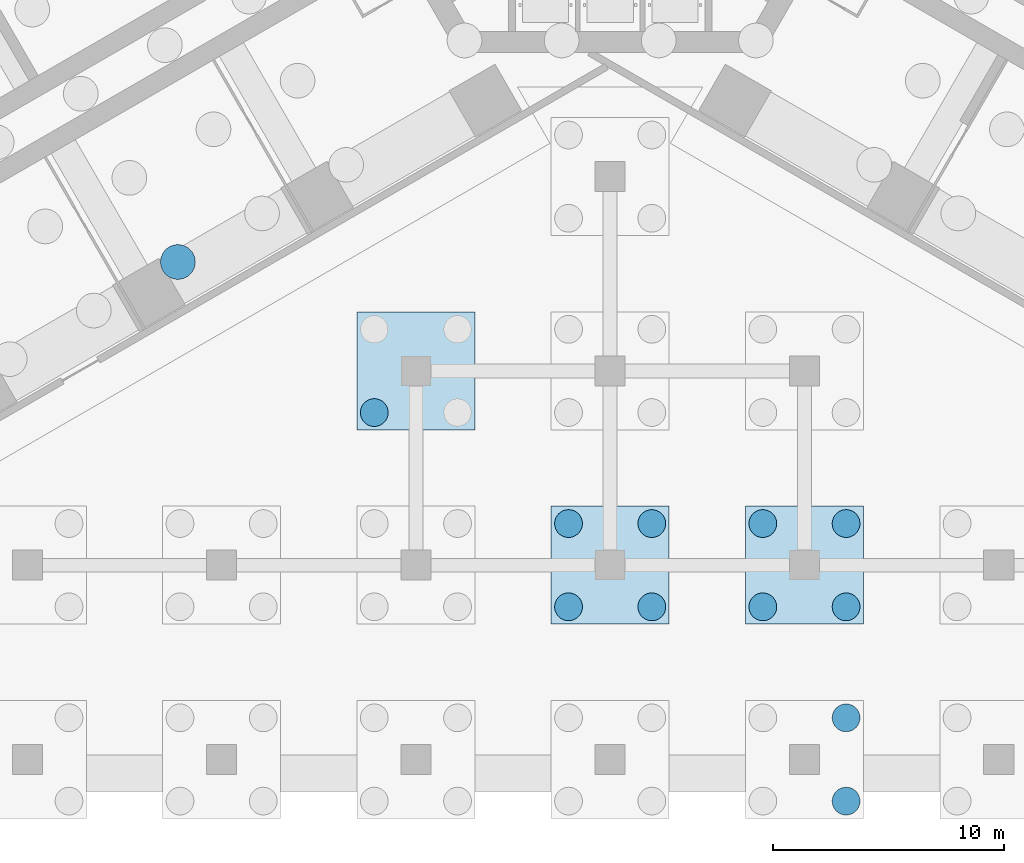
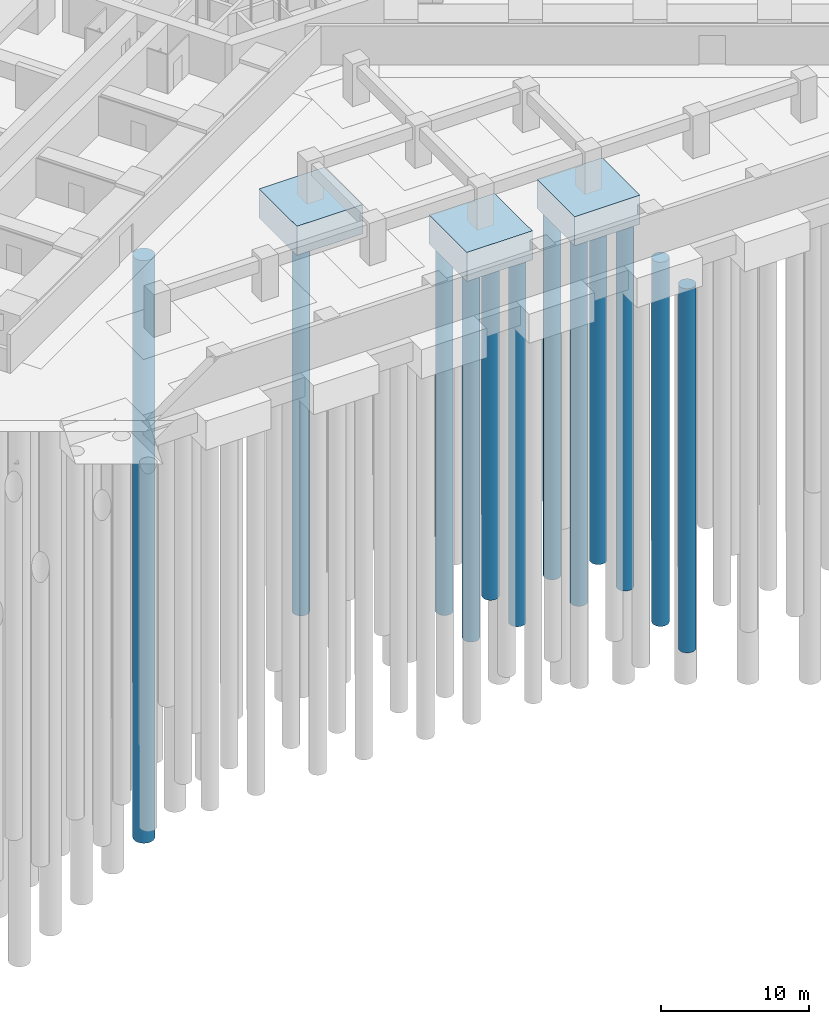
# One storey, part 8 of 73: 12 piles, 3 footings.
"""IFC4 building model written with IfcOpenShell, lengths in metres."""

from ifc_helpers import new_model, si_unit, direction, frame, origin, origin_2d, place, context, subcontext, project, spatial, polyline, circle, outline, extrude, material, material_profile, profile_set, type_object, element, save


model = new_model("IFC4")

# Units and contexts
model_context = context("Model", 3, precision=1e-05, world=origin(), true_north=direction((0.0, 1.0)))
body_context = subcontext(model_context, "Body", "Model", "MODEL_VIEW")
ifc_project = project(units=[si_unit("LENGTHUNIT", "METRE"), si_unit("AREAUNIT", "SQUARE_METRE"), si_unit("VOLUMEUNIT", "CUBIC_METRE"), si_unit("PLANEANGLEUNIT", "RADIAN"), si_unit("MASSUNIT", "GRAM", prefix="KILO")], contexts=[model_context])

# Site, building, storey
site_placement = place(None, origin())
site = spatial("IfcSite", under=ifc_project, at=site_placement, CompositionType="ELEMENT")
building_placement = place(site_placement, origin())
building = spatial("IfcBuilding", under=site, at=building_placement, Name="Impinga Residences", CompositionType="ELEMENT")
storey_placement = place(building_placement, frame((0.0, 0.0, -10.5)))
storey = spatial("IfcBuildingStorey", under=building, at=storey_placement, Name="B3", CompositionType="ELEMENT", Elevation=-10.5)

# Piles
ifc_material_1 = material(Name="Concrete C35/45", Category="concrete")
ifc_material_profile_1 = material_profile(ifc_material_1, circle(Radius=0.75, at=origin_2d()), Name="D1500")
ifc_profile_set_1 = profile_set([ifc_material_profile_1], Name="Concrete C35/45")
pile_type_1 = type_object("IfcPileType", Name="BP1 bored pile D1500", PredefinedType="BORED", material=ifc_profile_set_1)
pile_1_placement = place(storey_placement, frame((-18.6904296875, -20.490478515625, -4.0), z_axis=(0.0, 0.0, -1.0), x_axis=(1.0, 0.0, 0.0)))
element("IfcPile", 1, at=pile_1_placement, inside=storey, type_object=pile_type_1, Name="Raft pile BP1-021", PredefinedType="BORED", context=body_context, shape_type="SweptSolid", body=[
    extrude(outline(polyline([(0.75, 0.0), (0.746337890625, 0.073486328125), (0.735595703125, 0.146240234375), (0.7177734375, 0.2177734375), (0.69287109375, 0.287109375), (0.661376953125, 0.353515625), (0.62353515625, 0.416748046875), (0.579833984375, 0.475830078125), (0.5302734375, 0.5302734375), (0.475830078125, 0.579833984375), (0.416748046875, 0.62353515625), (0.353515625, 0.661376953125), (0.287109375, 0.69287109375), (0.2177734375, 0.7177734375), (0.146240234375, 0.735595703125), (0.073486328125, 0.746337890625), (0.0, 0.75), (-0.073486328125, 0.746337890625), (-0.146240234375, 0.735595703125), (-0.2177734375, 0.7177734375), (-0.287109375, 0.69287109375), (-0.353515625, 0.661376953125), (-0.416748046875, 0.62353515625), (-0.475830078125, 0.579833984375), (-0.5302734375, 0.5302734375), (-0.579833984375, 0.475830078125), (-0.62353515625, 0.416748046875), (-0.661376953125, 0.353515625), (-0.69287109375, 0.287109375), (-0.7177734375, 0.2177734375), (-0.735595703125, 0.146240234375), (-0.746337890625, 0.073486328125), (-0.75, 0.0), (-0.746337890625, -0.073486328125), (-0.735595703125, -0.146240234375), (-0.7177734375, -0.2177734375), (-0.69287109375, -0.287109375), (-0.661376953125, -0.353515625), (-0.62353515625, -0.416748046875), (-0.579833984375, -0.475830078125), (-0.5302734375, -0.5302734375), (-0.475830078125, -0.579833984375), (-0.416748046875, -0.62353515625), (-0.353515625, -0.661376953125), (-0.287109375, -0.69287109375), (-0.2177734375, -0.7177734375), (-0.146240234375, -0.735595703125), (-0.073486328125, -0.746337890625), (0.0, -0.75), (0.073486328125, -0.746337890625), (0.146240234375, -0.735595703125), (0.2177734375, -0.7177734375), (0.287109375, -0.69287109375), (0.353515625, -0.661376953125), (0.416748046875, -0.62353515625), (0.475830078125, -0.579833984375), (0.5302734375, -0.5302734375), (0.579833984375, -0.475830078125), (0.62353515625, -0.416748046875), (0.661376953125, -0.353515625), (0.69287109375, -0.287109375), (0.7177734375, -0.2177734375), (0.735595703125, -0.146240234375), (0.746337890625, -0.073486328125), (0.75, 0.0)])), origin(), (0.0, 0.0, 1.0), 48.0),
])
ifc_material_profile_2 = material_profile(ifc_material_1, circle(Radius=0.60009765625, at=origin_2d()), Name="D1200")
ifc_profile_set_2 = profile_set([ifc_material_profile_2], Name="Concrete C35/45")
pile_type_2 = type_object("IfcPileType", Name="BP2 bored pile D1200", PredefinedType="BORED", material=ifc_profile_set_2)
pile_2_placement = place(storey_placement, frame((-10.199951171875, -27.0, -2.39990234375), z_axis=(0.0, 0.0, -1.0), x_axis=(1.0, 0.0, 0.0)))
element("IfcPile", 2, at=pile_2_placement, inside=storey, type_object=pile_type_2, Name="Cap pile BP2 6/C-1", PredefinedType="BORED", context=body_context, shape_type="SweptSolid", body=[
    extrude(outline(polyline([(0.60009765625, 0.0), (0.59716796875, 0.058837890625), (0.58837890625, 0.116943359375), (0.57421875, 0.174072265625), (0.554443359375, 0.2294921875), (0.529052734375, 0.282958984375), (0.498779296875, 0.333251953125), (0.4638671875, 0.380615234375), (0.42431640625, 0.42431640625), (0.380615234375, 0.4638671875), (0.333251953125, 0.498779296875), (0.282958984375, 0.529052734375), (0.2294921875, 0.554443359375), (0.174072265625, 0.57421875), (0.116943359375, 0.58837890625), (0.058837890625, 0.59716796875), (0.0, 0.60009765625), (-0.058837890625, 0.59716796875), (-0.116943359375, 0.58837890625), (-0.174072265625, 0.57421875), (-0.2294921875, 0.554443359375), (-0.282958984375, 0.529052734375), (-0.333251953125, 0.498779296875), (-0.380615234375, 0.4638671875), (-0.42431640625, 0.42431640625), (-0.4638671875, 0.380615234375), (-0.498779296875, 0.333251953125), (-0.529052734375, 0.282958984375), (-0.554443359375, 0.2294921875), (-0.57421875, 0.174072265625), (-0.58837890625, 0.116943359375), (-0.59716796875, 0.058837890625), (-0.60009765625, 0.0), (-0.59716796875, -0.058837890625), (-0.58837890625, -0.116943359375), (-0.57421875, -0.174072265625), (-0.554443359375, -0.2294921875), (-0.529052734375, -0.282958984375), (-0.498779296875, -0.333251953125), (-0.4638671875, -0.380615234375), (-0.42431640625, -0.42431640625), (-0.380615234375, -0.4638671875), (-0.333251953125, -0.498779296875), (-0.282958984375, -0.529052734375), (-0.2294921875, -0.554443359375), (-0.174072265625, -0.57421875), (-0.116943359375, -0.58837890625), (-0.058837890625, -0.59716796875), (0.0, -0.60009765625), (0.058837890625, -0.59716796875), (0.116943359375, -0.58837890625), (0.174072265625, -0.57421875), (0.2294921875, -0.554443359375), (0.282958984375, -0.529052734375), (0.333251953125, -0.498779296875), (0.380615234375, -0.4638671875), (0.42431640625, -0.42431640625), (0.4638671875, -0.380615234375), (0.498779296875, -0.333251953125), (0.529052734375, -0.282958984375), (0.554443359375, -0.2294921875), (0.57421875, -0.174072265625), (0.58837890625, -0.116943359375), (0.59716796875, -0.058837890625), (0.60009765625, 0.0)])), origin(), (0.0, 0.0, 1.0), 30.0),
])
pile_3_placement = place(storey_placement, frame((-1.800048828125, -35.39990234375, -2.39990234375), z_axis=(0.0, 0.0, -1.0), x_axis=(1.0, 0.0, 0.0)))
element("IfcPile", 3, at=pile_3_placement, inside=storey, type_object=pile_type_2, Name="Cap pile BP2 7/B-1", PredefinedType="BORED", context=body_context, shape_type="SweptSolid", body=[
    extrude(outline(polyline([(0.60009765625, 0.0), (0.59716796875, 0.058837890625), (0.58837890625, 0.116943359375), (0.57421875, 0.174072265625), (0.554443359375, 0.2294921875), (0.529052734375, 0.282958984375), (0.498779296875, 0.333251953125), (0.4638671875, 0.380615234375), (0.42431640625, 0.42431640625), (0.380615234375, 0.4638671875), (0.333251953125, 0.498779296875), (0.282958984375, 0.529052734375), (0.2294921875, 0.554443359375), (0.174072265625, 0.57421875), (0.116943359375, 0.58837890625), (0.058837890625, 0.59716796875), (0.0, 0.60009765625), (-0.058837890625, 0.59716796875), (-0.116943359375, 0.58837890625), (-0.174072265625, 0.57421875), (-0.2294921875, 0.554443359375), (-0.282958984375, 0.529052734375), (-0.333251953125, 0.498779296875), (-0.380615234375, 0.4638671875), (-0.42431640625, 0.42431640625), (-0.4638671875, 0.380615234375), (-0.498779296875, 0.333251953125), (-0.529052734375, 0.282958984375), (-0.554443359375, 0.2294921875), (-0.57421875, 0.174072265625), (-0.58837890625, 0.116943359375), (-0.59716796875, 0.058837890625), (-0.60009765625, 0.0), (-0.59716796875, -0.058837890625), (-0.58837890625, -0.116943359375), (-0.57421875, -0.174072265625), (-0.554443359375, -0.2294921875), (-0.529052734375, -0.282958984375), (-0.498779296875, -0.333251953125), (-0.4638671875, -0.380615234375), (-0.42431640625, -0.42431640625), (-0.380615234375, -0.4638671875), (-0.333251953125, -0.498779296875), (-0.282958984375, -0.529052734375), (-0.2294921875, -0.554443359375), (-0.174072265625, -0.57421875), (-0.116943359375, -0.58837890625), (-0.058837890625, -0.59716796875), (0.0, -0.60009765625), (0.058837890625, -0.59716796875), (0.116943359375, -0.58837890625), (0.174072265625, -0.57421875), (0.2294921875, -0.554443359375), (0.282958984375, -0.529052734375), (0.333251953125, -0.498779296875), (0.380615234375, -0.4638671875), (0.42431640625, -0.42431640625), (0.4638671875, -0.380615234375), (0.498779296875, -0.333251953125), (0.529052734375, -0.282958984375), (0.554443359375, -0.2294921875), (0.57421875, -0.174072265625), (0.58837890625, -0.116943359375), (0.59716796875, -0.058837890625), (0.60009765625, 0.0)])), origin(), (0.0, 0.0, 1.0), 30.0),
])
pile_4_placement = place(storey_placement, frame((1.800048828125, -35.39990234375, -2.39990234375), z_axis=(0.0, 0.0, -1.0), x_axis=(1.0, 0.0, 0.0)))
element("IfcPile", 4, at=pile_4_placement, inside=storey, type_object=pile_type_2, Name="Cap pile BP2 7/B-2", PredefinedType="BORED", context=body_context, shape_type="SweptSolid", body=[
    extrude(outline(polyline([(0.60009765625, 0.0), (0.59716796875, 0.058837890625), (0.58837890625, 0.116943359375), (0.57421875, 0.174072265625), (0.554443359375, 0.2294921875), (0.529052734375, 0.282958984375), (0.498779296875, 0.333251953125), (0.4638671875, 0.380615234375), (0.42431640625, 0.42431640625), (0.380615234375, 0.4638671875), (0.333251953125, 0.498779296875), (0.282958984375, 0.529052734375), (0.2294921875, 0.554443359375), (0.174072265625, 0.57421875), (0.116943359375, 0.58837890625), (0.058837890625, 0.59716796875), (0.0, 0.60009765625), (-0.058837890625, 0.59716796875), (-0.116943359375, 0.58837890625), (-0.174072265625, 0.57421875), (-0.2294921875, 0.554443359375), (-0.282958984375, 0.529052734375), (-0.333251953125, 0.498779296875), (-0.380615234375, 0.4638671875), (-0.42431640625, 0.42431640625), (-0.4638671875, 0.380615234375), (-0.498779296875, 0.333251953125), (-0.529052734375, 0.282958984375), (-0.554443359375, 0.2294921875), (-0.57421875, 0.174072265625), (-0.58837890625, 0.116943359375), (-0.59716796875, 0.058837890625), (-0.60009765625, 0.0), (-0.59716796875, -0.058837890625), (-0.58837890625, -0.116943359375), (-0.57421875, -0.174072265625), (-0.554443359375, -0.2294921875), (-0.529052734375, -0.282958984375), (-0.498779296875, -0.333251953125), (-0.4638671875, -0.380615234375), (-0.42431640625, -0.42431640625), (-0.380615234375, -0.4638671875), (-0.333251953125, -0.498779296875), (-0.282958984375, -0.529052734375), (-0.2294921875, -0.554443359375), (-0.174072265625, -0.57421875), (-0.116943359375, -0.58837890625), (-0.058837890625, -0.59716796875), (0.0, -0.60009765625), (0.058837890625, -0.59716796875), (0.116943359375, -0.58837890625), (0.174072265625, -0.57421875), (0.2294921875, -0.554443359375), (0.282958984375, -0.529052734375), (0.333251953125, -0.498779296875), (0.380615234375, -0.4638671875), (0.42431640625, -0.42431640625), (0.4638671875, -0.380615234375), (0.498779296875, -0.333251953125), (0.529052734375, -0.282958984375), (0.554443359375, -0.2294921875), (0.57421875, -0.174072265625), (0.58837890625, -0.116943359375), (0.59716796875, -0.058837890625), (0.60009765625, 0.0)])), origin(), (0.0, 0.0, 1.0), 30.0),
])
pile_5_placement = place(storey_placement, frame((1.800048828125, -31.800048828125, -2.39990234375), z_axis=(0.0, 0.0, -1.0), x_axis=(1.0, 0.0, 0.0)))
element("IfcPile", 5, at=pile_5_placement, inside=storey, type_object=pile_type_2, Name="Cap pile BP2 7/B-3", PredefinedType="BORED", context=body_context, shape_type="SweptSolid", body=[
    extrude(outline(polyline([(0.60009765625, 0.0), (0.59716796875, 0.058837890625), (0.58837890625, 0.116943359375), (0.57421875, 0.174072265625), (0.554443359375, 0.2294921875), (0.529052734375, 0.282958984375), (0.498779296875, 0.333251953125), (0.4638671875, 0.380615234375), (0.42431640625, 0.42431640625), (0.380615234375, 0.4638671875), (0.333251953125, 0.498779296875), (0.282958984375, 0.529052734375), (0.2294921875, 0.554443359375), (0.174072265625, 0.57421875), (0.116943359375, 0.58837890625), (0.058837890625, 0.59716796875), (0.0, 0.60009765625), (-0.058837890625, 0.59716796875), (-0.116943359375, 0.58837890625), (-0.174072265625, 0.57421875), (-0.2294921875, 0.554443359375), (-0.282958984375, 0.529052734375), (-0.333251953125, 0.498779296875), (-0.380615234375, 0.4638671875), (-0.42431640625, 0.42431640625), (-0.4638671875, 0.380615234375), (-0.498779296875, 0.333251953125), (-0.529052734375, 0.282958984375), (-0.554443359375, 0.2294921875), (-0.57421875, 0.174072265625), (-0.58837890625, 0.116943359375), (-0.59716796875, 0.058837890625), (-0.60009765625, 0.0), (-0.59716796875, -0.058837890625), (-0.58837890625, -0.116943359375), (-0.57421875, -0.174072265625), (-0.554443359375, -0.2294921875), (-0.529052734375, -0.282958984375), (-0.498779296875, -0.333251953125), (-0.4638671875, -0.380615234375), (-0.42431640625, -0.42431640625), (-0.380615234375, -0.4638671875), (-0.333251953125, -0.498779296875), (-0.282958984375, -0.529052734375), (-0.2294921875, -0.554443359375), (-0.174072265625, -0.57421875), (-0.116943359375, -0.58837890625), (-0.058837890625, -0.59716796875), (0.0, -0.60009765625), (0.058837890625, -0.59716796875), (0.116943359375, -0.58837890625), (0.174072265625, -0.57421875), (0.2294921875, -0.554443359375), (0.282958984375, -0.529052734375), (0.333251953125, -0.498779296875), (0.380615234375, -0.4638671875), (0.42431640625, -0.42431640625), (0.4638671875, -0.380615234375), (0.498779296875, -0.333251953125), (0.529052734375, -0.282958984375), (0.554443359375, -0.2294921875), (0.57421875, -0.174072265625), (0.58837890625, -0.116943359375), (0.59716796875, -0.058837890625), (0.60009765625, 0.0)])), origin(), (0.0, 0.0, 1.0), 30.0),
])
pile_6_placement = place(storey_placement, frame((-1.800048828125, -31.800048828125, -2.39990234375), z_axis=(0.0, 0.0, -1.0), x_axis=(1.0, 0.0, 0.0)))
element("IfcPile", 6, at=pile_6_placement, inside=storey, type_object=pile_type_2, Name="Cap pile BP2 7/B-4", PredefinedType="BORED", context=body_context, shape_type="SweptSolid", body=[
    extrude(outline(polyline([(0.60009765625, 0.0), (0.59716796875, 0.058837890625), (0.58837890625, 0.116943359375), (0.57421875, 0.174072265625), (0.554443359375, 0.2294921875), (0.529052734375, 0.282958984375), (0.498779296875, 0.333251953125), (0.4638671875, 0.380615234375), (0.42431640625, 0.42431640625), (0.380615234375, 0.4638671875), (0.333251953125, 0.498779296875), (0.282958984375, 0.529052734375), (0.2294921875, 0.554443359375), (0.174072265625, 0.57421875), (0.116943359375, 0.58837890625), (0.058837890625, 0.59716796875), (0.0, 0.60009765625), (-0.058837890625, 0.59716796875), (-0.116943359375, 0.58837890625), (-0.174072265625, 0.57421875), (-0.2294921875, 0.554443359375), (-0.282958984375, 0.529052734375), (-0.333251953125, 0.498779296875), (-0.380615234375, 0.4638671875), (-0.42431640625, 0.42431640625), (-0.4638671875, 0.380615234375), (-0.498779296875, 0.333251953125), (-0.529052734375, 0.282958984375), (-0.554443359375, 0.2294921875), (-0.57421875, 0.174072265625), (-0.58837890625, 0.116943359375), (-0.59716796875, 0.058837890625), (-0.60009765625, 0.0), (-0.59716796875, -0.058837890625), (-0.58837890625, -0.116943359375), (-0.57421875, -0.174072265625), (-0.554443359375, -0.2294921875), (-0.529052734375, -0.282958984375), (-0.498779296875, -0.333251953125), (-0.4638671875, -0.380615234375), (-0.42431640625, -0.42431640625), (-0.380615234375, -0.4638671875), (-0.333251953125, -0.498779296875), (-0.282958984375, -0.529052734375), (-0.2294921875, -0.554443359375), (-0.174072265625, -0.57421875), (-0.116943359375, -0.58837890625), (-0.058837890625, -0.59716796875), (0.0, -0.60009765625), (0.058837890625, -0.59716796875), (0.116943359375, -0.58837890625), (0.174072265625, -0.57421875), (0.2294921875, -0.554443359375), (0.282958984375, -0.529052734375), (0.333251953125, -0.498779296875), (0.380615234375, -0.4638671875), (0.42431640625, -0.42431640625), (0.4638671875, -0.380615234375), (0.498779296875, -0.333251953125), (0.529052734375, -0.282958984375), (0.554443359375, -0.2294921875), (0.57421875, -0.174072265625), (0.58837890625, -0.116943359375), (0.59716796875, -0.058837890625), (0.60009765625, 0.0)])), origin(), (0.0, 0.0, 1.0), 30.0),
])
pile_7_placement = place(storey_placement, frame((10.199951171875, -43.800048828125, -2.39990234375), z_axis=(0.0, 0.0, -1.0), x_axis=(1.0, 0.0, 0.0)))
element("IfcPile", 7, at=pile_7_placement, inside=storey, type_object=pile_type_2, Name="Cap pile BP2 8/A-2", PredefinedType="BORED", context=body_context, shape_type="SweptSolid", body=[
    extrude(outline(polyline([(0.60009765625, 0.0), (0.59716796875, 0.058837890625), (0.58837890625, 0.116943359375), (0.57421875, 0.174072265625), (0.554443359375, 0.2294921875), (0.529052734375, 0.282958984375), (0.498779296875, 0.333251953125), (0.4638671875, 0.380615234375), (0.42431640625, 0.42431640625), (0.380615234375, 0.4638671875), (0.333251953125, 0.498779296875), (0.282958984375, 0.529052734375), (0.2294921875, 0.554443359375), (0.174072265625, 0.57421875), (0.116943359375, 0.58837890625), (0.058837890625, 0.59716796875), (0.0, 0.60009765625), (-0.058837890625, 0.59716796875), (-0.116943359375, 0.58837890625), (-0.174072265625, 0.57421875), (-0.2294921875, 0.554443359375), (-0.282958984375, 0.529052734375), (-0.333251953125, 0.498779296875), (-0.380615234375, 0.4638671875), (-0.42431640625, 0.42431640625), (-0.4638671875, 0.380615234375), (-0.498779296875, 0.333251953125), (-0.529052734375, 0.282958984375), (-0.554443359375, 0.2294921875), (-0.57421875, 0.174072265625), (-0.58837890625, 0.116943359375), (-0.59716796875, 0.058837890625), (-0.60009765625, 0.0), (-0.59716796875, -0.058837890625), (-0.58837890625, -0.116943359375), (-0.57421875, -0.174072265625), (-0.554443359375, -0.2294921875), (-0.529052734375, -0.282958984375), (-0.498779296875, -0.333251953125), (-0.4638671875, -0.380615234375), (-0.42431640625, -0.42431640625), (-0.380615234375, -0.4638671875), (-0.333251953125, -0.498779296875), (-0.282958984375, -0.529052734375), (-0.2294921875, -0.554443359375), (-0.174072265625, -0.57421875), (-0.116943359375, -0.58837890625), (-0.058837890625, -0.59716796875), (0.0, -0.60009765625), (0.058837890625, -0.59716796875), (0.116943359375, -0.58837890625), (0.174072265625, -0.57421875), (0.2294921875, -0.554443359375), (0.282958984375, -0.529052734375), (0.333251953125, -0.498779296875), (0.380615234375, -0.4638671875), (0.42431640625, -0.42431640625), (0.4638671875, -0.380615234375), (0.498779296875, -0.333251953125), (0.529052734375, -0.282958984375), (0.554443359375, -0.2294921875), (0.57421875, -0.174072265625), (0.58837890625, -0.116943359375), (0.59716796875, -0.058837890625), (0.60009765625, 0.0)])), origin(), (0.0, 0.0, 1.0), 30.0),
])
pile_8_placement = place(storey_placement, frame((10.199951171875, -40.199951171875, -2.39990234375), z_axis=(0.0, 0.0, -1.0), x_axis=(1.0, 0.0, 0.0)))
element("IfcPile", 8, at=pile_8_placement, inside=storey, type_object=pile_type_2, Name="Cap pile BP2 8/A-3", PredefinedType="BORED", context=body_context, shape_type="SweptSolid", body=[
    extrude(outline(polyline([(0.60009765625, 0.0), (0.59716796875, 0.058837890625), (0.58837890625, 0.116943359375), (0.57421875, 0.174072265625), (0.554443359375, 0.2294921875), (0.529052734375, 0.282958984375), (0.498779296875, 0.333251953125), (0.4638671875, 0.380615234375), (0.42431640625, 0.42431640625), (0.380615234375, 0.4638671875), (0.333251953125, 0.498779296875), (0.282958984375, 0.529052734375), (0.2294921875, 0.554443359375), (0.174072265625, 0.57421875), (0.116943359375, 0.58837890625), (0.058837890625, 0.59716796875), (0.0, 0.60009765625), (-0.058837890625, 0.59716796875), (-0.116943359375, 0.58837890625), (-0.174072265625, 0.57421875), (-0.2294921875, 0.554443359375), (-0.282958984375, 0.529052734375), (-0.333251953125, 0.498779296875), (-0.380615234375, 0.4638671875), (-0.42431640625, 0.42431640625), (-0.4638671875, 0.380615234375), (-0.498779296875, 0.333251953125), (-0.529052734375, 0.282958984375), (-0.554443359375, 0.2294921875), (-0.57421875, 0.174072265625), (-0.58837890625, 0.116943359375), (-0.59716796875, 0.058837890625), (-0.60009765625, 0.0), (-0.59716796875, -0.058837890625), (-0.58837890625, -0.116943359375), (-0.57421875, -0.174072265625), (-0.554443359375, -0.2294921875), (-0.529052734375, -0.282958984375), (-0.498779296875, -0.333251953125), (-0.4638671875, -0.380615234375), (-0.42431640625, -0.42431640625), (-0.380615234375, -0.4638671875), (-0.333251953125, -0.498779296875), (-0.282958984375, -0.529052734375), (-0.2294921875, -0.554443359375), (-0.174072265625, -0.57421875), (-0.116943359375, -0.58837890625), (-0.058837890625, -0.59716796875), (0.0, -0.60009765625), (0.058837890625, -0.59716796875), (0.116943359375, -0.58837890625), (0.174072265625, -0.57421875), (0.2294921875, -0.554443359375), (0.282958984375, -0.529052734375), (0.333251953125, -0.498779296875), (0.380615234375, -0.4638671875), (0.42431640625, -0.42431640625), (0.4638671875, -0.380615234375), (0.498779296875, -0.333251953125), (0.529052734375, -0.282958984375), (0.554443359375, -0.2294921875), (0.57421875, -0.174072265625), (0.58837890625, -0.116943359375), (0.59716796875, -0.058837890625), (0.60009765625, 0.0)])), origin(), (0.0, 0.0, 1.0), 30.0),
])
pile_9_placement = place(storey_placement, frame((6.60009765625, -35.39990234375, -2.39990234375), z_axis=(0.0, 0.0, -1.0), x_axis=(1.0, 0.0, 0.0)))
element("IfcPile", 9, at=pile_9_placement, inside=storey, type_object=pile_type_2, Name="Cap pile BP2 8/B-1", PredefinedType="BORED", context=body_context, shape_type="SweptSolid", body=[
    extrude(outline(polyline([(0.60009765625, 0.0), (0.59716796875, 0.058837890625), (0.58837890625, 0.116943359375), (0.57421875, 0.174072265625), (0.554443359375, 0.2294921875), (0.529052734375, 0.282958984375), (0.498779296875, 0.333251953125), (0.4638671875, 0.380615234375), (0.42431640625, 0.42431640625), (0.380615234375, 0.4638671875), (0.333251953125, 0.498779296875), (0.282958984375, 0.529052734375), (0.2294921875, 0.554443359375), (0.174072265625, 0.57421875), (0.116943359375, 0.58837890625), (0.058837890625, 0.59716796875), (0.0, 0.60009765625), (-0.058837890625, 0.59716796875), (-0.116943359375, 0.58837890625), (-0.174072265625, 0.57421875), (-0.2294921875, 0.554443359375), (-0.282958984375, 0.529052734375), (-0.333251953125, 0.498779296875), (-0.380615234375, 0.4638671875), (-0.42431640625, 0.42431640625), (-0.4638671875, 0.380615234375), (-0.498779296875, 0.333251953125), (-0.529052734375, 0.282958984375), (-0.554443359375, 0.2294921875), (-0.57421875, 0.174072265625), (-0.58837890625, 0.116943359375), (-0.59716796875, 0.058837890625), (-0.60009765625, 0.0), (-0.59716796875, -0.058837890625), (-0.58837890625, -0.116943359375), (-0.57421875, -0.174072265625), (-0.554443359375, -0.2294921875), (-0.529052734375, -0.282958984375), (-0.498779296875, -0.333251953125), (-0.4638671875, -0.380615234375), (-0.42431640625, -0.42431640625), (-0.380615234375, -0.4638671875), (-0.333251953125, -0.498779296875), (-0.282958984375, -0.529052734375), (-0.2294921875, -0.554443359375), (-0.174072265625, -0.57421875), (-0.116943359375, -0.58837890625), (-0.058837890625, -0.59716796875), (0.0, -0.60009765625), (0.058837890625, -0.59716796875), (0.116943359375, -0.58837890625), (0.174072265625, -0.57421875), (0.2294921875, -0.554443359375), (0.282958984375, -0.529052734375), (0.333251953125, -0.498779296875), (0.380615234375, -0.4638671875), (0.42431640625, -0.42431640625), (0.4638671875, -0.380615234375), (0.498779296875, -0.333251953125), (0.529052734375, -0.282958984375), (0.554443359375, -0.2294921875), (0.57421875, -0.174072265625), (0.58837890625, -0.116943359375), (0.59716796875, -0.058837890625), (0.60009765625, 0.0)])), origin(), (0.0, 0.0, 1.0), 30.0),
])
pile_10_placement = place(storey_placement, frame((10.199951171875, -35.39990234375, -2.39990234375), z_axis=(0.0, 0.0, -1.0), x_axis=(1.0, 0.0, 0.0)))
element("IfcPile", 10, at=pile_10_placement, inside=storey, type_object=pile_type_2, Name="Cap pile BP2 8/B-2", PredefinedType="BORED", context=body_context, shape_type="SweptSolid", body=[
    extrude(outline(polyline([(0.60009765625, 0.0), (0.59716796875, 0.058837890625), (0.58837890625, 0.116943359375), (0.57421875, 0.174072265625), (0.554443359375, 0.2294921875), (0.529052734375, 0.282958984375), (0.498779296875, 0.333251953125), (0.4638671875, 0.380615234375), (0.42431640625, 0.42431640625), (0.380615234375, 0.4638671875), (0.333251953125, 0.498779296875), (0.282958984375, 0.529052734375), (0.2294921875, 0.554443359375), (0.174072265625, 0.57421875), (0.116943359375, 0.58837890625), (0.058837890625, 0.59716796875), (0.0, 0.60009765625), (-0.058837890625, 0.59716796875), (-0.116943359375, 0.58837890625), (-0.174072265625, 0.57421875), (-0.2294921875, 0.554443359375), (-0.282958984375, 0.529052734375), (-0.333251953125, 0.498779296875), (-0.380615234375, 0.4638671875), (-0.42431640625, 0.42431640625), (-0.4638671875, 0.380615234375), (-0.498779296875, 0.333251953125), (-0.529052734375, 0.282958984375), (-0.554443359375, 0.2294921875), (-0.57421875, 0.174072265625), (-0.58837890625, 0.116943359375), (-0.59716796875, 0.058837890625), (-0.60009765625, 0.0), (-0.59716796875, -0.058837890625), (-0.58837890625, -0.116943359375), (-0.57421875, -0.174072265625), (-0.554443359375, -0.2294921875), (-0.529052734375, -0.282958984375), (-0.498779296875, -0.333251953125), (-0.4638671875, -0.380615234375), (-0.42431640625, -0.42431640625), (-0.380615234375, -0.4638671875), (-0.333251953125, -0.498779296875), (-0.282958984375, -0.529052734375), (-0.2294921875, -0.554443359375), (-0.174072265625, -0.57421875), (-0.116943359375, -0.58837890625), (-0.058837890625, -0.59716796875), (0.0, -0.60009765625), (0.058837890625, -0.59716796875), (0.116943359375, -0.58837890625), (0.174072265625, -0.57421875), (0.2294921875, -0.554443359375), (0.282958984375, -0.529052734375), (0.333251953125, -0.498779296875), (0.380615234375, -0.4638671875), (0.42431640625, -0.42431640625), (0.4638671875, -0.380615234375), (0.498779296875, -0.333251953125), (0.529052734375, -0.282958984375), (0.554443359375, -0.2294921875), (0.57421875, -0.174072265625), (0.58837890625, -0.116943359375), (0.59716796875, -0.058837890625), (0.60009765625, 0.0)])), origin(), (0.0, 0.0, 1.0), 30.0),
])
pile_11_placement = place(storey_placement, frame((10.199951171875, -31.800048828125, -2.39990234375), z_axis=(0.0, 0.0, -1.0), x_axis=(1.0, 0.0, 0.0)))
element("IfcPile", 11, at=pile_11_placement, inside=storey, type_object=pile_type_2, Name="Cap pile BP2 8/B-3", PredefinedType="BORED", context=body_context, shape_type="SweptSolid", body=[
    extrude(outline(polyline([(0.60009765625, 0.0), (0.59716796875, 0.058837890625), (0.58837890625, 0.116943359375), (0.57421875, 0.174072265625), (0.554443359375, 0.2294921875), (0.529052734375, 0.282958984375), (0.498779296875, 0.333251953125), (0.4638671875, 0.380615234375), (0.42431640625, 0.42431640625), (0.380615234375, 0.4638671875), (0.333251953125, 0.498779296875), (0.282958984375, 0.529052734375), (0.2294921875, 0.554443359375), (0.174072265625, 0.57421875), (0.116943359375, 0.58837890625), (0.058837890625, 0.59716796875), (0.0, 0.60009765625), (-0.058837890625, 0.59716796875), (-0.116943359375, 0.58837890625), (-0.174072265625, 0.57421875), (-0.2294921875, 0.554443359375), (-0.282958984375, 0.529052734375), (-0.333251953125, 0.498779296875), (-0.380615234375, 0.4638671875), (-0.42431640625, 0.42431640625), (-0.4638671875, 0.380615234375), (-0.498779296875, 0.333251953125), (-0.529052734375, 0.282958984375), (-0.554443359375, 0.2294921875), (-0.57421875, 0.174072265625), (-0.58837890625, 0.116943359375), (-0.59716796875, 0.058837890625), (-0.60009765625, 0.0), (-0.59716796875, -0.058837890625), (-0.58837890625, -0.116943359375), (-0.57421875, -0.174072265625), (-0.554443359375, -0.2294921875), (-0.529052734375, -0.282958984375), (-0.498779296875, -0.333251953125), (-0.4638671875, -0.380615234375), (-0.42431640625, -0.42431640625), (-0.380615234375, -0.4638671875), (-0.333251953125, -0.498779296875), (-0.282958984375, -0.529052734375), (-0.2294921875, -0.554443359375), (-0.174072265625, -0.57421875), (-0.116943359375, -0.58837890625), (-0.058837890625, -0.59716796875), (0.0, -0.60009765625), (0.058837890625, -0.59716796875), (0.116943359375, -0.58837890625), (0.174072265625, -0.57421875), (0.2294921875, -0.554443359375), (0.282958984375, -0.529052734375), (0.333251953125, -0.498779296875), (0.380615234375, -0.4638671875), (0.42431640625, -0.42431640625), (0.4638671875, -0.380615234375), (0.498779296875, -0.333251953125), (0.529052734375, -0.282958984375), (0.554443359375, -0.2294921875), (0.57421875, -0.174072265625), (0.58837890625, -0.116943359375), (0.59716796875, -0.058837890625), (0.60009765625, 0.0)])), origin(), (0.0, 0.0, 1.0), 30.0),
])
pile_12_placement = place(storey_placement, frame((6.60009765625, -31.800048828125, -2.39990234375), z_axis=(0.0, 0.0, -1.0), x_axis=(1.0, 0.0, 0.0)))
element("IfcPile", 12, at=pile_12_placement, inside=storey, type_object=pile_type_2, Name="Cap pile BP2 8/B-4", PredefinedType="BORED", context=body_context, shape_type="SweptSolid", body=[
    extrude(outline(polyline([(0.60009765625, 0.0), (0.59716796875, 0.058837890625), (0.58837890625, 0.116943359375), (0.57421875, 0.174072265625), (0.554443359375, 0.2294921875), (0.529052734375, 0.282958984375), (0.498779296875, 0.333251953125), (0.4638671875, 0.380615234375), (0.42431640625, 0.42431640625), (0.380615234375, 0.4638671875), (0.333251953125, 0.498779296875), (0.282958984375, 0.529052734375), (0.2294921875, 0.554443359375), (0.174072265625, 0.57421875), (0.116943359375, 0.58837890625), (0.058837890625, 0.59716796875), (0.0, 0.60009765625), (-0.058837890625, 0.59716796875), (-0.116943359375, 0.58837890625), (-0.174072265625, 0.57421875), (-0.2294921875, 0.554443359375), (-0.282958984375, 0.529052734375), (-0.333251953125, 0.498779296875), (-0.380615234375, 0.4638671875), (-0.42431640625, 0.42431640625), (-0.4638671875, 0.380615234375), (-0.498779296875, 0.333251953125), (-0.529052734375, 0.282958984375), (-0.554443359375, 0.2294921875), (-0.57421875, 0.174072265625), (-0.58837890625, 0.116943359375), (-0.59716796875, 0.058837890625), (-0.60009765625, 0.0), (-0.59716796875, -0.058837890625), (-0.58837890625, -0.116943359375), (-0.57421875, -0.174072265625), (-0.554443359375, -0.2294921875), (-0.529052734375, -0.282958984375), (-0.498779296875, -0.333251953125), (-0.4638671875, -0.380615234375), (-0.42431640625, -0.42431640625), (-0.380615234375, -0.4638671875), (-0.333251953125, -0.498779296875), (-0.282958984375, -0.529052734375), (-0.2294921875, -0.554443359375), (-0.174072265625, -0.57421875), (-0.116943359375, -0.58837890625), (-0.058837890625, -0.59716796875), (0.0, -0.60009765625), (0.058837890625, -0.59716796875), (0.116943359375, -0.58837890625), (0.174072265625, -0.57421875), (0.2294921875, -0.554443359375), (0.282958984375, -0.529052734375), (0.333251953125, -0.498779296875), (0.380615234375, -0.4638671875), (0.42431640625, -0.42431640625), (0.4638671875, -0.380615234375), (0.498779296875, -0.333251953125), (0.529052734375, -0.282958984375), (0.554443359375, -0.2294921875), (0.57421875, -0.174072265625), (0.58837890625, -0.116943359375), (0.59716796875, -0.058837890625), (0.60009765625, 0.0)])), origin(), (0.0, 0.0, 1.0), 30.0),
])

# Footings
ifc_material_2 = material(Name="Concrete C45/55", Category="concrete")
footing_type = type_object("IfcFootingType", Name="PC4 four-pile cap 5100 square 2400 deep", PredefinedType="PILE_CAP", material=ifc_material_2)
footing_1_placement = place(storey_placement, frame((0.0, 0.0, -2.39990234375)))
element("IfcFooting", 13, at=footing_1_placement, inside=storey, type_object=footing_type, Name="Pile cap PC4 6/C", PredefinedType="PILE_CAP", context=body_context, shape_type="SweptSolid", body=[
    extrude(outline(polyline([(-5.85009765625, -27.75), (-5.85009765625, -22.64990234375), (-10.949951171875, -22.64990234375), (-10.949951171875, -27.75), (-5.85009765625, -27.75)])), origin(), (0.0, 0.0, 1.0), 2.39990234375),
])
footing_2_placement = place(storey_placement, frame((0.0, 0.0, -2.39990234375)))
element("IfcFooting", 14, at=footing_2_placement, inside=storey, type_object=footing_type, Name="Pile cap PC4 7/B", PredefinedType="PILE_CAP", context=body_context, shape_type="SweptSolid", body=[
    extrude(outline(polyline([(2.550048828125, -36.14990234375), (2.550048828125, -31.050048828125), (-2.550048828125, -31.050048828125), (-2.550048828125, -36.14990234375), (2.550048828125, -36.14990234375)])), origin(), (0.0, 0.0, 1.0), 2.39990234375),
])
footing_3_placement = place(storey_placement, frame((0.0, 0.0, -2.39990234375)))
element("IfcFooting", 15, at=footing_3_placement, inside=storey, type_object=footing_type, Name="Pile cap PC4 8/B", PredefinedType="PILE_CAP", context=body_context, shape_type="SweptSolid", body=[
    extrude(outline(polyline([(10.949951171875, -36.14990234375), (10.949951171875, -31.050048828125), (5.85009765625, -31.050048828125), (5.85009765625, -36.14990234375), (10.949951171875, -36.14990234375)])), origin(), (0.0, 0.0, 1.0), 2.39990234375),
])

save(model, "model.ifc")
